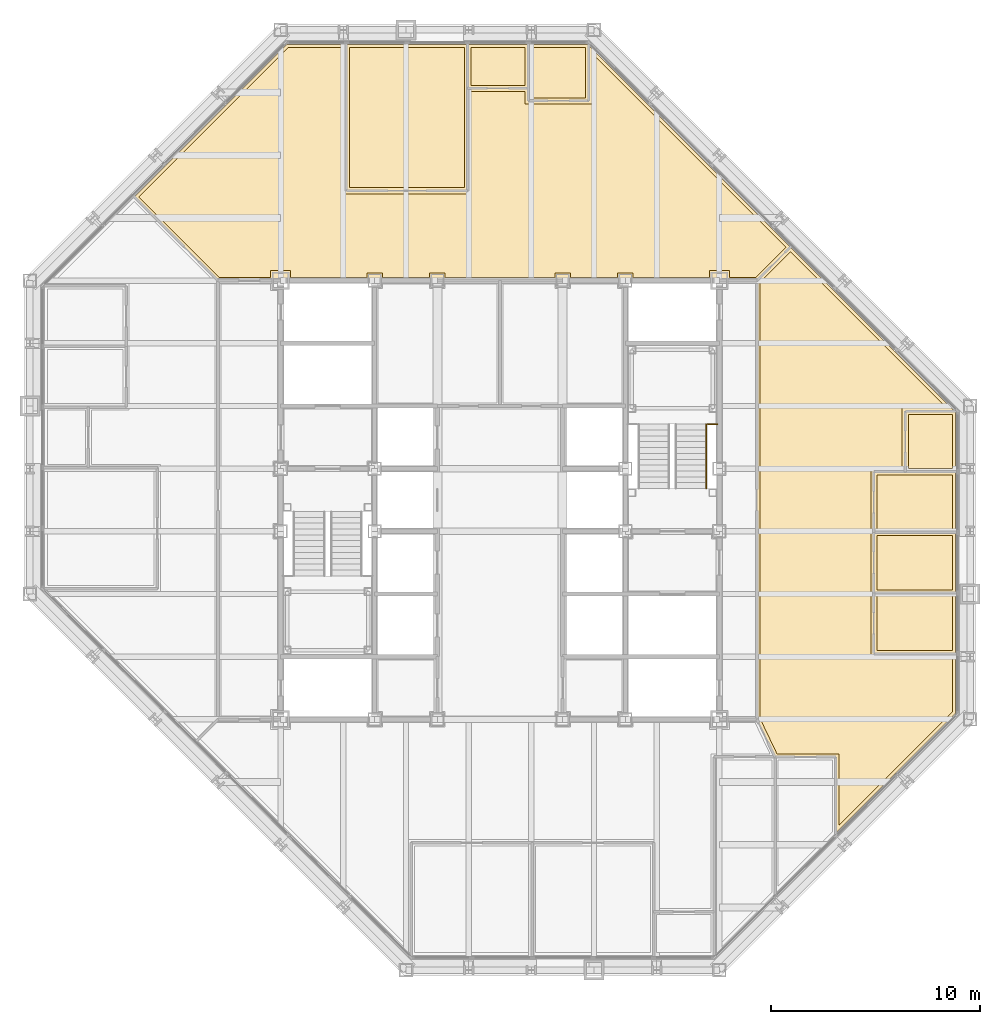
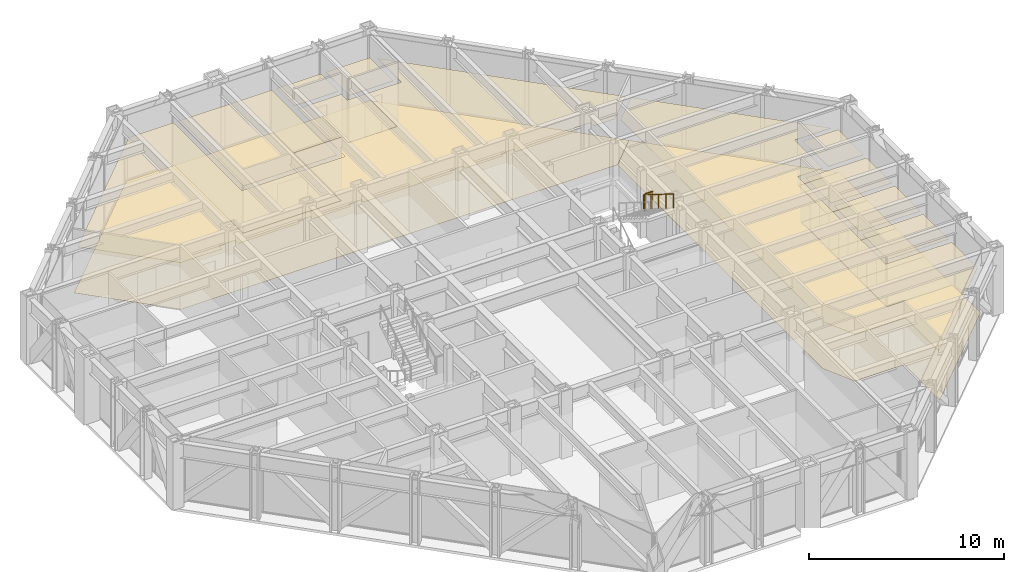
# One storey, part 16 of 16: 18 coverings, 2 railings.
"""IFC4 building model written with IfcOpenShell, lengths in metres."""

from ifc_helpers import new_model, si_unit, direction, frame, origin, origin_2d, place, context, subcontext, project, spatial, polyline, circle, outline, extrude, material, layer, layer_set, type_object, element, save


model = new_model("IFC4")

# Units and contexts
model_context = context("Model", 3, precision=1e-05, world=origin(), true_north=direction((0.0, 1.0)))
body_context = subcontext(model_context, "Body", "Model", "MODEL_VIEW")
ifc_project = project(units=[si_unit("LENGTHUNIT", "METRE"), si_unit("AREAUNIT", "SQUARE_METRE"), si_unit("VOLUMEUNIT", "CUBIC_METRE"), si_unit("PLANEANGLEUNIT", "RADIAN"), si_unit("MASSUNIT", "GRAM", prefix="KILO")], contexts=[model_context])

# Site, building, storey
site_placement = place(None, origin())
site = spatial("IfcSite", under=ifc_project, at=site_placement, CompositionType="ELEMENT")
building_placement = place(site_placement, origin())
building = spatial("IfcBuilding", under=site, at=building_placement, Name="Chuquiago Exchange Tower", CompositionType="ELEMENT")
storey_placement = place(building_placement, frame((0.0, 0.0, 209.699951171875)))
storey = spatial("IfcBuildingStorey", under=building, at=storey_placement, Name="L46", CompositionType="ELEMENT", Elevation=209.699951171875)

# Coverings
ifc_material_1 = material(Name="Mineral fibre tile, 600 x 600, on pale metal grid", Category="mineral fibre")
ifc_layer_1 = layer(ifc_material_1, 0.02001953125)
ifc_layer_set_1 = layer_set([ifc_layer_1], Name="CL1 suspended tile ceiling 20")
covering_type_1 = type_object("IfcCoveringType", Name="CL1 suspended tile ceiling 20", PredefinedType="CEILING", material=ifc_layer_set_1)
covering_1_placement = place(storey_placement, frame((0.0, 0.0, 2.800048828125)))
element("IfcCovering", 1, at=covering_1_placement, inside=storey, type_object=covering_type_1, Name="Ceiling Office", PredefinedType="CEILING", context=body_context, shape_type="SweptSolid", body=[
    extrude(outline(polyline([(40.550048828125, 15.299072265625), (40.550048828125, 17.899658203125), (44.14990234375, 17.899658203125), (44.14990234375, 15.299072265625), (40.550048828125, 15.299072265625)])), origin(), (0.0, 0.0, 1.0), 0.02001953125),
])
covering_2_placement = place(storey_placement, frame((0.0, 0.0, 2.800048828125)))
element("IfcCovering", 2, at=covering_2_placement, inside=storey, type_object=covering_type_1, Name="Ceiling Office", PredefinedType="CEILING", context=body_context, shape_type="SweptSolid", body=[
    extrude(outline(polyline([(40.550048828125, 18.19970703125), (40.550048828125, 20.80029296875), (44.14990234375, 20.80029296875), (44.14990234375, 18.19970703125), (40.550048828125, 18.19970703125)])), origin(), (0.0, 0.0, 1.0), 0.02001953125),
])
covering_3_placement = place(storey_placement, frame((0.0, 0.0, 2.800048828125)))
element("IfcCovering", 3, at=covering_3_placement, inside=storey, type_object=covering_type_1, Name="Ceiling Office", PredefinedType="CEILING", context=body_context, shape_type="SweptSolid", body=[
    extrude(outline(polyline([(40.550048828125, 21.100341796875), (40.550048828125, 23.700927734375), (44.14990234375, 23.700927734375), (44.14990234375, 21.100341796875), (40.550048828125, 21.100341796875)])), origin(), (0.0, 0.0, 1.0), 0.02001953125),
])
covering_4_placement = place(storey_placement, frame((0.0, 0.0, 2.800048828125)))
element("IfcCovering", 4, at=covering_4_placement, inside=storey, type_object=covering_type_1, Name="Ceiling Store", PredefinedType="CEILING", context=body_context, shape_type="SweptSolid", body=[
    extrude(outline(polyline([(44.14990234375, 24.0009765625), (42.050048828125, 24.0009765625), (42.050048828125, 26.6015625), (44.14990234375, 26.6015625), (44.14990234375, 24.0009765625)])), origin(), (0.0, 0.0, 1.0), 0.02001953125),
])
covering_5_placement = place(storey_placement, frame((0.0, 0.0, 2.800048828125)))
element("IfcCovering", 5, at=covering_5_placement, inside=storey, type_object=covering_type_1, Name="Ceiling Media room", PredefinedType="CEILING", context=body_context, shape_type="SweptSolid", body=[
    extrude(outline(polyline([(20.80029296875, 37.449951171875), (15.299072265625, 37.449951171875), (15.299072265625, 44.14990234375), (20.80029296875, 44.14990234375), (20.80029296875, 37.449951171875)])), origin(), (0.0, 0.0, 1.0), 0.02001953125),
])
covering_6_placement = place(storey_placement, frame((0.0, 0.0, 2.800048828125)))
element("IfcCovering", 6, at=covering_6_placement, inside=storey, type_object=covering_type_1, Name="Ceiling Focus room", PredefinedType="CEILING", context=body_context, shape_type="SweptSolid", body=[
    extrude(outline(polyline([(23.700927734375, 42.35009765625), (21.100341796875, 42.35009765625), (21.100341796875, 44.14990234375), (23.700927734375, 44.14990234375), (23.700927734375, 42.35009765625)])), origin(), (0.0, 0.0, 1.0), 0.02001953125),
])
covering_7_placement = place(storey_placement, frame((0.0, 0.0, 2.800048828125)))
element("IfcCovering", 7, at=covering_7_placement, inside=storey, type_object=covering_type_1, Name="Ceiling Pantry", PredefinedType="CEILING", context=body_context, shape_type="SweptSolid", body=[
    extrude(outline(polyline([(26.6015625, 41.75), (24.0009765625, 41.75), (24.0009765625, 44.14990234375), (26.6015625, 44.14990234375), (26.6015625, 41.75)])), origin(), (0.0, 0.0, 1.0), 0.02001953125),
])
covering_8_placement = place(storey_placement, frame((0.0, 0.0, 2.800048828125)))
element("IfcCovering", 8, at=covering_8_placement, inside=storey, type_object=covering_type_1, Name="Ceiling Open office north", PredefinedType="CEILING", context=body_context, shape_type="SweptSolid", body=[
    extrude(outline(polyline([(21.100341796875, 37.14990234375), (21.100341796875, 42.050048828125), (23.700927734375, 42.050048828125), (23.700927734375, 41.449951171875), (26.901611328125, 41.449951171875), (26.901611328125, 43.896484375), (36.192626953125, 34.60546875), (34.7373046875, 33.14990234375), (33.47509765625, 33.14990234375), (33.47509765625, 33.47509765625), (32.52490234375, 33.47509765625), (32.52490234375, 33.14990234375), (28.875, 33.14990234375), (28.875, 33.375), (28.125, 33.375), (28.125, 33.14990234375), (25.875, 33.14990234375), (25.875, 33.375), (25.125, 33.375), (25.125, 33.14990234375), (19.875, 33.14990234375), (19.875, 33.375), (19.125, 33.375), (19.125, 33.14990234375), (16.875, 33.14990234375), (16.875, 33.375), (16.125, 33.375), (16.125, 33.14990234375), (12.47509765625, 33.14990234375), (12.47509765625, 33.47509765625), (11.52490234375, 33.47509765625), (11.52490234375, 33.14990234375), (9.0625, 33.14990234375), (5.20751953125, 37.00537109375), (12.35205078125, 44.14990234375), (14.9990234375, 44.14990234375), (14.9990234375, 37.14990234375), (21.100341796875, 37.14990234375)])), origin(), (0.0, 0.0, 1.0), 0.02001953125),
])
covering_9_placement = place(storey_placement, frame((0.0, 0.0, 2.800048828125)))
element("IfcCovering", 9, at=covering_9_placement, inside=storey, type_object=covering_type_1, Name="Ceiling Open office east", PredefinedType="CEILING", context=body_context, shape_type="SweptSolid", body=[
    extrude(outline(polyline([(41.75, 26.901611328125), (41.75, 24.0009765625), (40.25, 24.0009765625), (40.25, 14.9990234375), (44.14990234375, 14.9990234375), (44.14990234375, 12.35205078125), (38.7255859375, 6.927734375), (38.7255859375, 10.35009765625), (35.758544921875, 10.35009765625), (34.949951171875, 12.03466796875), (34.949951171875, 32.9375), (36.405517578125, 34.392578125), (43.896484375, 26.901611328125), (41.75, 26.901611328125)])), origin(), (0.0, 0.0, 1.0), 0.02001953125),
])
ifc_material_2 = material(Name="Carpet tile, 500 x 500, on the floor slab", Category="textile")
ifc_layer_2 = layer(ifc_material_2, 0.010009765625)
ifc_layer_set_2 = layer_set([ifc_layer_2], Name="FL1 carpet tile 10")
covering_type_2 = type_object("IfcCoveringType", Name="FL1 carpet tile 10", PredefinedType="FLOORING", material=ifc_layer_set_2)
covering_10_placement = place(storey_placement, origin())
element("IfcCovering", 10, at=covering_10_placement, inside=storey, type_object=covering_type_2, Name="Floor finish Office", PredefinedType="FLOORING", context=body_context, shape_type="SweptSolid", body=[
    extrude(outline(polyline([(44.300048828125, 15.149169921875), (40.39990234375, 15.149169921875), (40.39990234375, 18.0498046875), (44.300048828125, 18.0498046875), (44.300048828125, 15.149169921875)])), origin(), (0.0, 0.0, 1.0), 0.010009765625),
])
covering_11_placement = place(storey_placement, origin())
element("IfcCovering", 11, at=covering_11_placement, inside=storey, type_object=covering_type_2, Name="Floor finish Office", PredefinedType="FLOORING", context=body_context, shape_type="SweptSolid", body=[
    extrude(outline(polyline([(44.300048828125, 18.0498046875), (40.39990234375, 18.0498046875), (40.39990234375, 20.9501953125), (44.300048828125, 20.9501953125), (44.300048828125, 18.0498046875)])), origin(), (0.0, 0.0, 1.0), 0.010009765625),
])
covering_12_placement = place(storey_placement, origin())
element("IfcCovering", 12, at=covering_12_placement, inside=storey, type_object=covering_type_2, Name="Floor finish Office", PredefinedType="FLOORING", context=body_context, shape_type="SweptSolid", body=[
    extrude(outline(polyline([(44.300048828125, 20.9501953125), (40.39990234375, 20.9501953125), (40.39990234375, 23.850830078125), (44.300048828125, 23.850830078125), (44.300048828125, 20.9501953125)])), origin(), (0.0, 0.0, 1.0), 0.010009765625),
])
covering_13_placement = place(storey_placement, origin())
element("IfcCovering", 13, at=covering_13_placement, inside=storey, type_object=covering_type_2, Name="Floor finish Media room", PredefinedType="FLOORING", context=body_context, shape_type="SweptSolid", body=[
    extrude(outline(polyline([(20.9501953125, 44.300048828125), (20.9501953125, 37.300048828125), (15.149169921875, 37.300048828125), (15.149169921875, 44.300048828125), (20.9501953125, 44.300048828125)])), origin(), (0.0, 0.0, 1.0), 0.010009765625),
])
covering_14_placement = place(storey_placement, origin())
element("IfcCovering", 14, at=covering_14_placement, inside=storey, type_object=covering_type_2, Name="Floor finish Focus room", PredefinedType="FLOORING", context=body_context, shape_type="SweptSolid", body=[
    extrude(outline(polyline([(23.850830078125, 44.300048828125), (23.850830078125, 42.199951171875), (20.9501953125, 42.199951171875), (20.9501953125, 44.300048828125), (23.850830078125, 44.300048828125)])), origin(), (0.0, 0.0, 1.0), 0.010009765625),
])
covering_15_placement = place(storey_placement, origin())
element("IfcCovering", 15, at=covering_15_placement, inside=storey, type_object=covering_type_2, Name="Floor finish Open office north", PredefinedType="FLOORING", context=body_context, shape_type="SweptSolid", body=[
    extrude(outline(polyline([(15.149169921875, 37.300048828125), (20.9501953125, 37.300048828125), (20.9501953125, 42.199951171875), (23.850830078125, 42.199951171875), (23.850830078125, 41.60009765625), (26.75146484375, 41.60009765625), (26.75146484375, 44.258544921875), (36.40478515625, 34.60546875), (34.799560546875, 33.0), (9.00048828125, 33.0), (4.995361328125, 37.00537109375), (12.289794921875, 44.300048828125), (15.149169921875, 44.300048828125), (15.149169921875, 37.300048828125)])), origin(), (0.0, 0.0, 1.0), 0.010009765625),
])
covering_16_placement = place(storey_placement, origin())
element("IfcCovering", 16, at=covering_16_placement, inside=storey, type_object=covering_type_2, Name="Floor finish Open office east", PredefinedType="FLOORING", context=body_context, shape_type="SweptSolid", body=[
    extrude(outline(polyline([(44.258544921875, 26.75146484375), (41.89990234375, 26.75146484375), (41.89990234375, 23.850830078125), (40.39990234375, 23.850830078125), (40.39990234375, 15.149169921875), (44.300048828125, 15.149169921875), (44.300048828125, 12.289794921875), (38.57568359375, 6.565673828125), (38.57568359375, 10.199951171875), (35.6640625, 10.199951171875), (34.800048828125, 12.00048828125), (34.800048828125, 32.99951171875), (36.405517578125, 34.604736328125), (44.258544921875, 26.75146484375)])), origin(), (0.0, 0.0, 1.0), 0.010009765625),
])
ifc_material_3 = material(Name="Porcelain floor tile, 600 x 600, on adhesive bed", Category="ceramic")
ifc_layer_3 = layer(ifc_material_3, 0.014892578125)
ifc_layer_set_3 = layer_set([ifc_layer_3], Name="FL2 porcelain tile 15")
covering_type_3 = type_object("IfcCoveringType", Name="FL2 porcelain tile 15", PredefinedType="FLOORING", material=ifc_layer_set_3)
covering_17_placement = place(storey_placement, origin())
element("IfcCovering", 17, at=covering_17_placement, inside=storey, type_object=covering_type_3, Name="Floor finish Store", PredefinedType="FLOORING", context=body_context, shape_type="SweptSolid", body=[
    extrude(outline(polyline([(44.300048828125, 26.710205078125), (44.300048828125, 23.850830078125), (41.89990234375, 23.850830078125), (41.89990234375, 26.75146484375), (44.258544921875, 26.75146484375), (44.300048828125, 26.710205078125)])), origin(), (0.0, 0.0, 1.0), 0.01513671875),
])
covering_18_placement = place(storey_placement, origin())
element("IfcCovering", 18, at=covering_18_placement, inside=storey, type_object=covering_type_3, Name="Floor finish Pantry", PredefinedType="FLOORING", context=body_context, shape_type="SweptSolid", body=[
    extrude(outline(polyline([(26.710205078125, 44.300048828125), (26.75146484375, 44.258544921875), (26.75146484375, 41.60009765625), (23.850830078125, 41.60009765625), (23.850830078125, 44.300048828125), (26.710205078125, 44.300048828125)])), origin(), (0.0, 0.0, 1.0), 0.01513671875),
])

# Railings
ifc_material_4 = material(Name="Pale metal guard with safety glass infill", Category="glass")
railing_type_1 = type_object("IfcRailingType", Name="GR1 guard 1100", PredefinedType="GUARDRAIL", material=ifc_material_4)
railing_1_placement = place(storey_placement, frame((32.445068359375, 26.1298828125, 2.10009765625)))
element("IfcRailing", 19, at=railing_1_placement, inside=storey, type_object=railing_type_1, Name="Guard ST2 L46 landing 2", PredefinedType="GUARDRAIL", context=body_context, shape_type="SweptSolid", body=[
    extrude(circle(Radius=0.02392578125, at=origin_2d()), frame((0.0, 0.0, 1.076171875), z_axis=(1.0, 0.0, 0.0), x_axis=(0.0, 1.0, 0.0)), (0.0, 0.0, 1.0), 0.454833984375),
    extrude(circle(Radius=0.02099609375, at=origin_2d()), origin(), (0.0, 0.0, 1.0), 1.052001953125),
    extrude(circle(Radius=0.02099609375, at=origin_2d()), frame((0.454833984375, 0.0, 0.0)), (0.0, 0.0, 1.0), 1.052001953125),
])
ifc_material_5 = material(Name="Pale metal handrail", Category="steel")
railing_type_2 = type_object("IfcRailingType", Name="HR1 handrail 900", PredefinedType="HANDRAIL", material=ifc_material_5)
railing_2_placement = place(storey_placement, frame((32.364990234375, 26.1298828125, 2.275146484375)))
element("IfcRailing", 20, at=railing_2_placement, inside=storey, type_object=railing_type_2, Name="Handrail ST2 L46 flight 2", PredefinedType="HANDRAIL", context=body_context, shape_type="SweptSolid", body=[
    extrude(circle(Radius=0.02392578125, at=origin_2d()), frame((0.0, 0.0, 0.8759765625), z_axis=(0.0, -0.848009633417, 0.529980812513), x_axis=(1.0, 0.0, 0.0)), (0.0, 0.0, 1.0), 3.6318359375),
    extrude(circle(Radius=0.02099609375, at=origin_2d()), origin(), (0.0, 0.0, 1.0), 0.851806640625),
    extrude(circle(Radius=0.02099609375, at=origin_2d()), frame((0.0, -0.77001953125, 0.481201171875)), (0.0, 0.0, 1.0), 0.851806640625),
    extrude(circle(Radius=0.02099609375, at=origin_2d()), frame((0.0, -1.5400390625, 0.96240234375)), (0.0, 0.0, 1.0), 0.851806640625),
    extrude(circle(Radius=0.02099609375, at=origin_2d()), frame((0.0, -2.309814453125, 1.443603515625)), (0.0, 0.0, 1.0), 0.851806640625),
    extrude(circle(Radius=0.02099609375, at=origin_2d()), frame((0.0, -3.079833984375, 1.9248046875)), (0.0, 0.0, 1.0), 0.851806640625),
])

save(model, "model.ifc")
